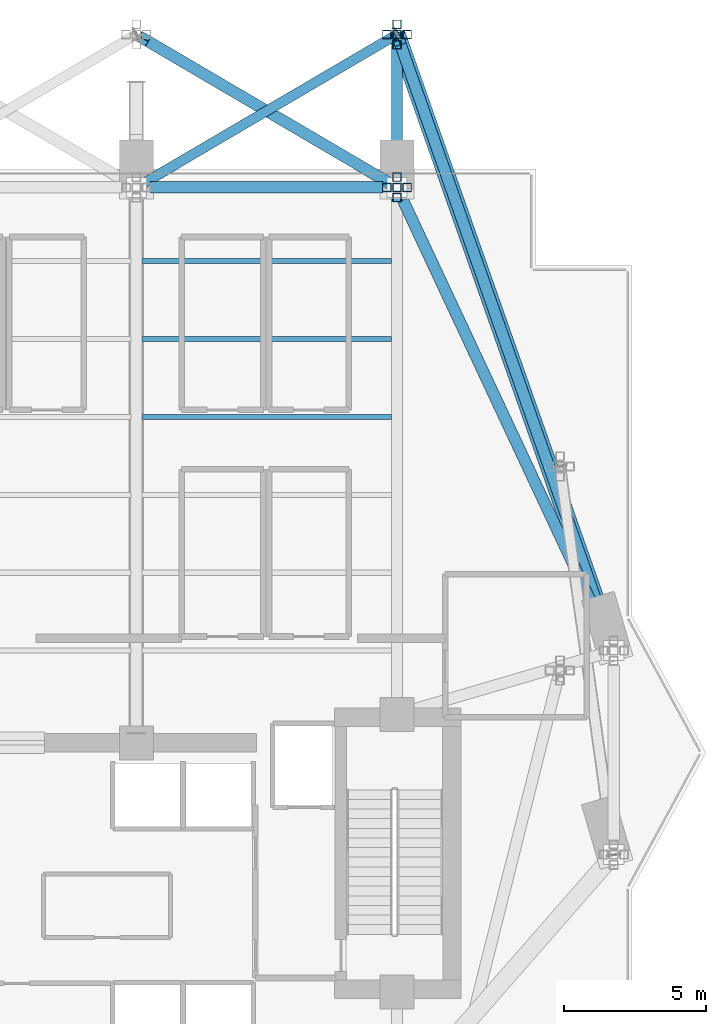
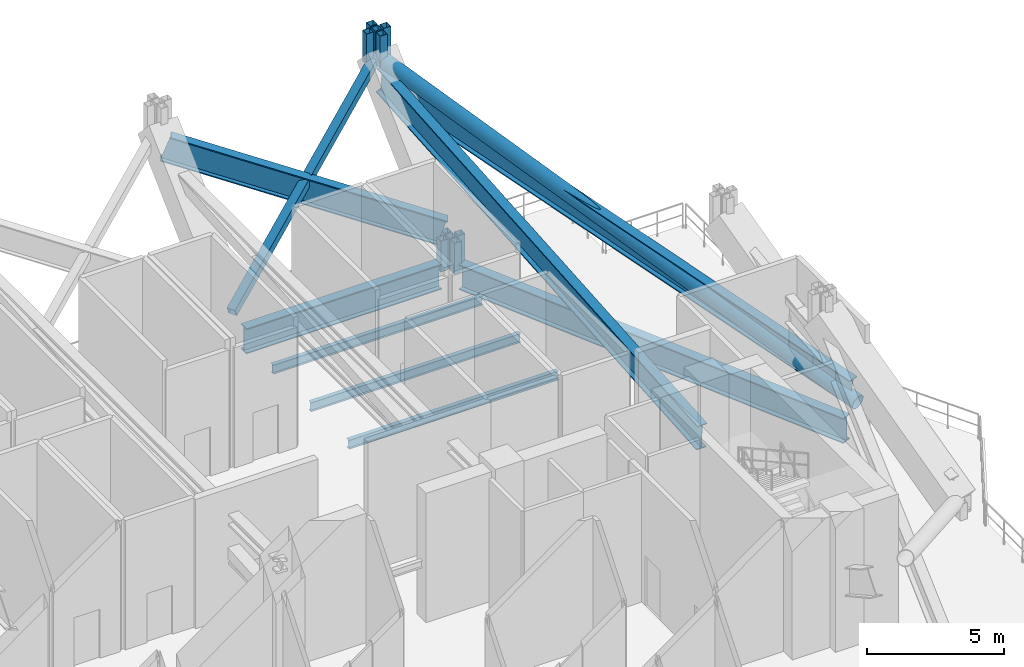
# One storey, part 6 of 18: 12 members, 8 beams.
"""IFC4 building model written with IfcOpenShell, lengths in metres."""

from ifc_helpers import new_model, si_unit, direction, frame, origin, origin_2d, place, context, subcontext, project, spatial, hollow_rectangle, hollow_circle, i_section, extrude, material, material_profile, profile_set, type_object, element, save


model = new_model("IFC4")

# Units and contexts
model_context = context("Model", 3, precision=1e-05, world=origin(), true_north=direction((0.0, 1.0)))
body_context = subcontext(model_context, "Body", "Model", "MODEL_VIEW")
ifc_project = project(units=[si_unit("LENGTHUNIT", "METRE"), si_unit("AREAUNIT", "SQUARE_METRE"), si_unit("VOLUMEUNIT", "CUBIC_METRE"), si_unit("PLANEANGLEUNIT", "RADIAN"), si_unit("MASSUNIT", "GRAM", prefix="KILO")], contexts=[model_context])

# Site, building, storey
site_placement = place(None, origin())
site = spatial("IfcSite", under=ifc_project, at=site_placement, CompositionType="ELEMENT")
building_placement = place(site_placement, origin())
building = spatial("IfcBuilding", under=site, at=building_placement, Name="Zuhayl Quay Hotel", CompositionType="ELEMENT")
storey_placement = place(building_placement, frame((0.0, 0.0, 233.64990234375)))
storey = spatial("IfcBuildingStorey", under=building, at=storey_placement, Name="L59", CompositionType="ELEMENT", Elevation=233.64990234375)

# Beams
ifc_material_1 = material(Name="Steel ASTM A992 Grade 50", Category="steel")
ifc_material_profile_1 = material_profile(ifc_material_1, i_section(OverallWidth=0.177978515625, OverallDepth=0.406005859375, WebThickness=0.0078125, FlangeThickness=0.0126953125, at=origin_2d()), Name="W16X40")
ifc_profile_set_1 = profile_set([ifc_material_profile_1], Name="Steel ASTM A992 Grade 50")
beam_type_1 = type_object("IfcBeamType", Name="BM_J2B_W16X40", PredefinedType="JOIST", material=ifc_profile_set_1)
for number, where, z_axis, x_axis, name in (
    (1, (4.7939453125, 24.85009765625, -0.462890625), (1.0, 0.0, 0.0), (0.0, 1.0, 0.0), "L59 Floor Beam FJ_L59_4_3"),
    (2, (4.7939453125, 27.60009765625, -0.462890625), (1.0, 0.0, 0.0), (0.0, 1.0, 0.0), "L59 Floor Beam FJ_L59_5_3"),
    (3, (4.7939453125, 30.35009765625, -0.462890625), (1.0, 0.0, 0.0), (0.0, 1.0, 0.0), "L59 Floor Beam FJ_L59_6_3"),
):
    element("IfcBeam", number, at=place(storey_placement, frame(where, z_axis=z_axis, x_axis=x_axis)), inside=storey, type_object=beam_type_1, Name=name, PredefinedType="JOIST", context=body_context, shape_type="SweptSolid", body=[
        extrude(i_section(OverallWidth=0.177978515625, OverallDepth=0.406005859375, WebThickness=0.0078125, FlangeThickness=0.0126953125, at=origin_2d()), origin(), (0.0, 0.0, 1.0), 8.81201171875),
    ])
ifc_material_2 = material(Name="Steel ASTM A913 Grade 65", Category="steel")
ifc_material_profile_2 = material_profile(ifc_material_2, i_section(OverallWidth=0.404052734375, OverallDepth=1.117919921875, WebThickness=0.026123046875, FlangeThickness=0.044921875, at=origin_2d()), Name="W44X335")
ifc_profile_set_2 = profile_set([ifc_material_profile_2], Name="Steel ASTM A913 Grade 65")
beam_type_2 = type_object("IfcBeamType", Name="BM_TG1_W44X335", PredefinedType="BEAM", material=ifc_profile_set_2)
beam_1_placement = place(storey_placement, frame((21.238037109375, 17.052978515625, -0.81884765625), z_axis=(-0.423792164429, 0.905759461098, 0.0), x_axis=(-0.905759461098, -0.423792164429, 0.0)))
element("IfcBeam", 4, at=beam_1_placement, inside=storey, type_object=beam_type_2, Name="L59 Floor Beam RG_L59_06", PredefinedType="BEAM", context=body_context, shape_type="SweptSolid", body=[
    extrude(i_section(OverallWidth=0.404052734375, OverallDepth=1.117919921875, WebThickness=0.026123046875, FlangeThickness=0.044921875, at=origin_2d()), origin(), (0.0, 0.0, 1.0), 17.051025390625),
])
beam_2_placement = place(storey_placement, frame((13.300048828125, 32.949951171875, -0.81884765625), z_axis=(-1.0, 0.0, 0.0), x_axis=(0.0, -1.0, 0.0)))
element("IfcBeam", 5, at=beam_2_placement, inside=storey, type_object=beam_type_2, Name="L59 Floor Beam RG_L59_07", PredefinedType="BEAM", context=body_context, shape_type="SweptSolid", body=[
    extrude(i_section(OverallWidth=0.404052734375, OverallDepth=1.117919921875, WebThickness=0.026123046875, FlangeThickness=0.044921875, at=origin_2d()), origin(), (0.0, 0.0, 1.0), 8.199951171875),
])
beam_3_placement = place(storey_placement, frame((21.3505859375, 16.883056640625, 0.9501953125), z_axis=(-0.327466853876, 0.930995132502, 0.161287082158), x_axis=(-0.943345857761, -0.33181107975, 0.0)))
element("IfcBeam", 6, at=beam_3_placement, inside=storey, type_object=beam_type_2, Name="L59 Wind-Floor Inclined Belt Girder 06", PredefinedType="BEAM", context=body_context, shape_type="SweptSolid", body=[
    extrude(i_section(OverallWidth=0.404052734375, OverallDepth=1.117919921875, WebThickness=0.026123046875, FlangeThickness=0.044921875, at=origin_2d()), origin(), (0.0, 0.0, 1.0), 22.75390625),
])
beam_4_placement = place(storey_placement, frame((13.541259765625, 33.101806640625, 0.9501953125), z_axis=(-0.810266738634, 0.475579459629, 0.34247918162), x_axis=(-0.506191158603, -0.862421307107, 0.0)))
element("IfcBeam", 7, at=beam_4_placement, inside=storey, type_object=beam_type_2, Name="L59 Wind-Floor Inclined Belt Girder 07", PredefinedType="BEAM", context=body_context, shape_type="SweptSolid", body=[
    extrude(i_section(OverallWidth=0.404052734375, OverallDepth=1.117919921875, WebThickness=0.026123046875, FlangeThickness=0.044921875, at=origin_2d()), origin(), (0.0, 0.0, 1.0), 10.7158203125),
])
beam_5_placement = place(storey_placement, frame((13.800048828125, 14.699951171875, 2.85009765625), z_axis=(0.0, 0.99712698618, 0.075748091933), x_axis=(-1.0, 0.0, 0.0)))
element("IfcBeam", 8, at=beam_5_placement, inside=storey, type_object=beam_type_2, Name="L59 Wind-Floor Inclined Outrigger Girder 2", PredefinedType="BEAM", context=body_context, shape_type="SweptSolid", body=[
    extrude(i_section(OverallWidth=0.404052734375, OverallDepth=1.117919921875, WebThickness=0.026123046875, FlangeThickness=0.044921875, at=origin_2d()), origin(), (0.0, 0.0, 1.0), 23.3671875),
])

# Members
ifc_material_3 = material(Name="Steel ASTM A500 Grade C", Category="steel")
ifc_material_profile_3 = material_profile(ifc_material_3, hollow_rectangle(XDim=0.35009765625, YDim=0.35009765625, WallThickness=0.01611328125, at=origin_2d()), Name="HSS350X350X16")
ifc_profile_set_3 = profile_set([ifc_material_profile_3], Name="Steel ASTM A500 Grade C")
member_type_1 = type_object("IfcMemberType", Name="MB_BT_DIAG_HSS350", PredefinedType="BRACE", material=ifc_profile_set_3)
member_1_placement = place(storey_placement, frame((4.60009765625, 32.949951171875, 0.550048828125), z_axis=(0.783685509818, 0.460004240418, 0.417412410571), x_axis=(-0.506212779879, 0.862408616311, 0.0)))
element("IfcMember", 9, at=member_1_placement, inside=storey, type_object=member_type_1, Name="L59 Belt Truss BT3 Diagonal N34", PredefinedType="BRACE", context=body_context, shape_type="SweptSolid", body=[
    extrude(hollow_rectangle(XDim=0.35009765625, YDim=0.35009765625, WallThickness=0.01611328125, at=origin_2d()), origin(), (0.0, 0.0, 1.0), 11.7392578125),
])
ifc_material_profile_4 = material_profile(ifc_material_3, hollow_rectangle(XDim=0.300048828125, YDim=0.300048828125, WallThickness=0.012451171875, at=origin_2d()), Name="HSS300X300X12")
ifc_profile_set_4 = profile_set([ifc_material_profile_4], Name="Steel ASTM A500 Grade C")
member_type_2 = type_object("IfcMemberType", Name="MB_CR_BRACE_HSS300", PredefinedType="BRACE", material=ifc_profile_set_4)
for number, where, z_axis, x_axis, name in (
    (10, (13.800048828125, 32.949951171875, -0.64990234375), (0.0, 0.0, 1.0), (1.0, 0.0, 0.0), "L59 Mega-Column Lower Knuckle Leg MC_N4-1"),
    (11, (13.800048828125, 38.35009765625, 5.280029296875), (0.0, 0.0, 1.0), (1.0, 0.0, 0.0), "L59 Mega-Column Upper Knuckle Leg MC_N4-1"),
    (12, (13.800048828125, 33.31005859375, -0.64990234375), (0.0, 0.0, 1.0), (1.0, 0.0, 0.0), "L59 Mega-Column Lower Knuckle Leg MC_N4-2"),
    (13, (13.800048828125, 38.7099609375, 5.280029296875), (0.0, 0.0, 1.0), (1.0, 0.0, 0.0), "L59 Mega-Column Upper Knuckle Leg MC_N4-2"),
    (14, (13.800048828125, 32.590087890625, -0.64990234375), (0.0, 0.0, 1.0), (1.0, 0.0, 0.0), "L59 Mega-Column Lower Knuckle Leg MC_N4-3"),
    (15, (13.800048828125, 37.989990234375, 5.280029296875), (0.0, 0.0, 1.0), (1.0, 0.0, 0.0), "L59 Mega-Column Upper Knuckle Leg MC_N4-3"),
    (16, (14.159912109375, 32.949951171875, -0.64990234375), (0.0, 0.0, 1.0), (1.0, 0.0, 0.0), "L59 Mega-Column Lower Knuckle Leg MC_N4-4"),
    (17, (14.159912109375, 38.35009765625, 5.280029296875), (0.0, 0.0, 1.0), (1.0, 0.0, 0.0), "L59 Mega-Column Upper Knuckle Leg MC_N4-4"),
    (18, (13.43994140625, 32.949951171875, -0.64990234375), (0.0, 0.0, 1.0), (1.0, 0.0, 0.0), "L59 Mega-Column Lower Knuckle Leg MC_N4-5"),
    (19, (13.43994140625, 38.35009765625, 5.280029296875), (0.0, 0.0, 1.0), (1.0, 0.0, 0.0), "L59 Mega-Column Upper Knuckle Leg MC_N4-5"),
):
    element("IfcMember", number, at=place(storey_placement, frame(where, z_axis=z_axis, x_axis=x_axis)), inside=storey, type_object=member_type_2, Name=name, PredefinedType="STRUT", context=body_context, shape_type="SweptSolid", body=[
        extrude(hollow_rectangle(XDim=0.300048828125, YDim=0.300048828125, WallThickness=0.012451171875, at=origin_2d()), origin(), (0.0, 0.0, 1.0), 1.3701171875),
    ])
ifc_material_profile_5 = material_profile(ifc_material_3, hollow_circle(Radius=0.304931640625, WallThickness=0.02001953125, at=origin_2d()), Name="CHS610X20")
ifc_profile_set_5 = profile_set([ifc_material_profile_5], Name="Steel ASTM A500 Grade C")
member_type_3 = type_object("IfcMemberType", Name="MB_ST_CHS610", PredefinedType="STRUT", material=ifc_profile_set_5)
member_2_placement = place(storey_placement, frame((21.449951171875, 16.60009765625, 0.550048828125), z_axis=(-0.324546365274, 0.922741641334, 0.20788823953), x_axis=(-0.943351431391, -0.331795233378, 0.0)))
element("IfcMember", 20, at=member_2_placement, inside=storey, type_object=member_type_3, Name="L59 Wind-Floor Corner Mega-Strut NE", PredefinedType="STRUT", context=body_context, shape_type="SweptSolid", body=[
    extrude(hollow_circle(Radius=0.304931640625, WallThickness=0.02001953125, at=origin_2d()), origin(), (0.0, 0.0, 1.0), 23.571044921875),
])

save(model, "model.ifc")
